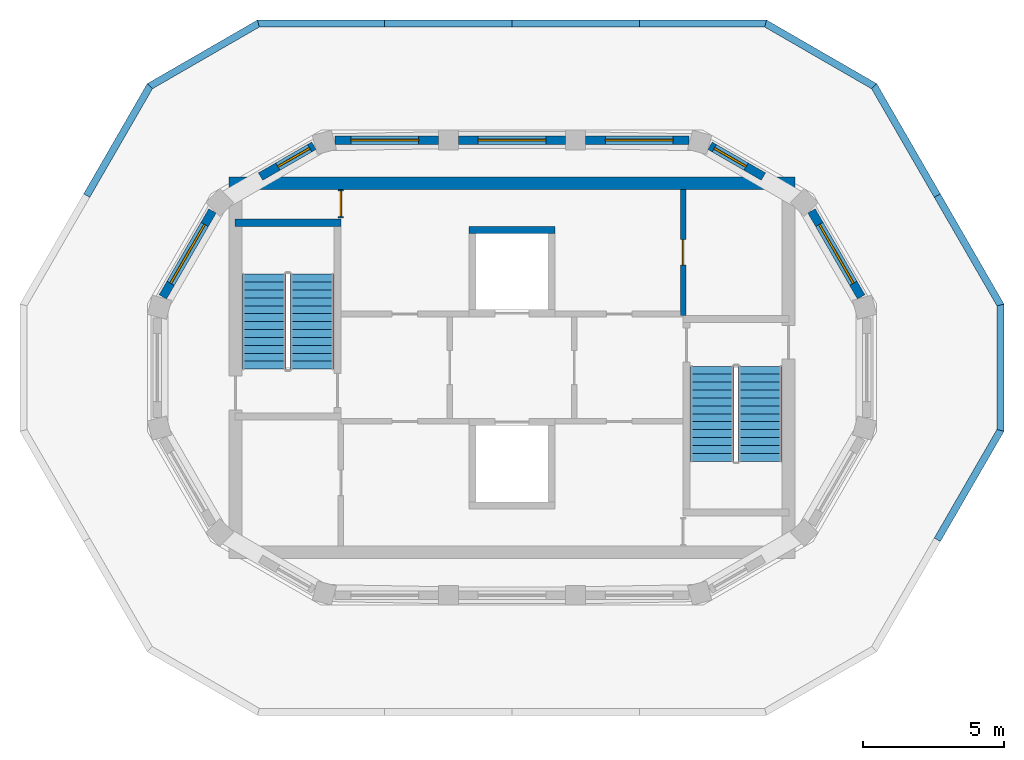
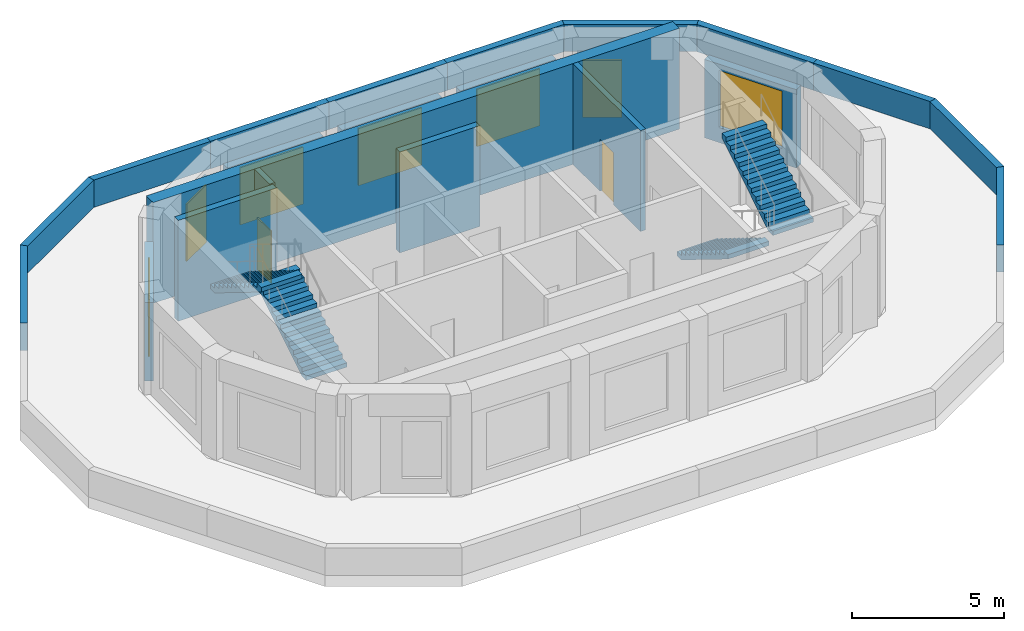
# One storey, part 3 of 4: 23 walls, 7 windows, 4 stair flights, 2 doors, 9 openings, 2 elements without a shape of their own.
"""IFC4 building model written with IfcOpenShell, lengths in metres."""

from ifc_helpers import new_model, si_unit, direction, frame, frame_2d, origin, place, context, subcontext, project, spatial, polyline, rectangle, outline, extrude, material, layer, layer_set, type_object, element, fill, aggregate, save


model = new_model("IFC4")

# Units and contexts
model_context = context("Model", 3, precision=1e-05, world=origin(), true_north=direction((0.0, 1.0)))
body_context = subcontext(model_context, "Body", "Model", "MODEL_VIEW")
ifc_project = project(units=[si_unit("LENGTHUNIT", "METRE"), si_unit("AREAUNIT", "SQUARE_METRE"), si_unit("VOLUMEUNIT", "CUBIC_METRE"), si_unit("PLANEANGLEUNIT", "RADIAN"), si_unit("MASSUNIT", "GRAM", prefix="KILO")], contexts=[model_context])

# Site, building, storey
site_placement = place(None, origin())
site = spatial("IfcSite", under=ifc_project, at=site_placement, CompositionType="ELEMENT")
building_placement = place(site_placement, origin())
building = spatial("IfcBuilding", under=site, at=building_placement, Name="Dhurran Vertical Campus", CompositionType="ELEMENT")
storey_placement = place(building_placement, frame((0.0, 0.0, 332.39990234375)))
storey = spatial("IfcBuildingStorey", under=building, at=storey_placement, Name="L81 Plant", CompositionType="ELEMENT", Elevation=332.39990234375)

# Wall, opening, window
ifc_material_1 = material(Name="Precast concrete C50/60", Category="concrete")
ifc_layer_1 = layer(ifc_material_1, 0.300048828125)
ifc_layer_set_1 = layer_set([ifc_layer_1], Name="Precast concrete C50/60")
wall_type_1 = type_object("IfcWallType", Name="Precast louvre-bay wall 300", PredefinedType="SOLIDWALL", material=ifc_layer_set_1)
wall_1_placement = place(storey_placement, frame((12.345703125, 2.5048828125, 0.0), z_axis=(0.0, 0.0, 1.0), x_axis=(-0.499987607361, 0.86603255856, 0.0)))
wall_1 = element("IfcWall", 1, at=wall_1_placement, inside=storey, type_object=wall_type_1, Name="EW3 L81.06", PredefinedType="SOLIDWALL", context=body_context, shape_type="SweptSolid", body=[
    extrude(rectangle(XDim=3.5068359375, YDim=0.300048828125, at=frame_2d((1.75341796875, 0.0))), origin(), (0.0, 0.0, 1.0), 3.150146484375),
])
opening_1_placement = place(wall_1_placement, frame((0.553466796875, 0.0, 0.60009765625)))
opening_1 = element("IfcOpeningElement", 2, at=opening_1_placement, cuts=wall_1, Name="Opening WT4", PredefinedType="OPENING", context=body_context, shape_type="SweptSolid", body=[
    extrude(rectangle(XDim=2.39990234375, YDim=2.300048828125, at=frame_2d((1.199951171875, 1.14990234375))), frame((0.0, 0.159912109375, 0.0), z_axis=(0.0, -1.0, 0.0), x_axis=(1.0, 0.0, 0.0)), (0.0, 0.0, 1.0), 0.320068359375),
])
ifc_material_2 = material(Name="Aluminium louvre", Category="aluminium")
window_type_1 = type_object("IfcWindowType", Name="Louvred plant vent 2400 x 2300", PartitioningType="SINGLE_PANEL", PredefinedType="WINDOW", material=ifc_material_2)
window_1_placement = place(opening_1_placement, origin())
window_1 = element("IfcWindow", 3, at=window_1_placement, inside=storey, type_object=window_type_1, Name="WT4 L81.06", OverallHeight=2.300048828125, OverallWidth=2.39990234375, PartitioningType="SINGLE_PANEL", PredefinedType="WINDOW", context=body_context, shape_type="SweptSolid", body=[
    extrude(rectangle(XDim=2.39990234375, YDim=2.300048828125, at=frame_2d((1.199951171875, 1.14990234375))), frame((0.0, 0.030029296875, 0.0), z_axis=(0.0, -1.0, 0.0), x_axis=(1.0, 0.0, 0.0)), (0.0, 0.0, 1.0), 0.06005859375),
])
fill(opening_1, window_1)

wall_2_placement = place(storey_placement, frame((8.889892578125, 6.757568359375, 0.0), z_axis=(0.0, 0.0, 1.0), x_axis=(-0.866060442015, 0.499939307093, 0.0)))
wall_2 = element("IfcWall", 4, at=wall_2_placement, inside=storey, type_object=wall_type_1, Name="EW3 L81.07", PredefinedType="SOLIDWALL", context=body_context, shape_type="SweptSolid", body=[
    extrude(rectangle(XDim=2.176513671875, YDim=0.300048828125, at=frame_2d((1.08837890625, 0.0))), origin(), (0.0, 0.0, 1.0), 3.150146484375),
])
opening_2_placement = place(wall_2_placement, frame((0.7041015625, 0.0, 0.60009765625)))
opening_2 = element("IfcOpeningElement", 5, at=opening_2_placement, cuts=wall_2, Name="Opening WT4", PredefinedType="OPENING", context=body_context, shape_type="SweptSolid", body=[
    extrude(rectangle(XDim=1.300048828125, YDim=2.300048828125, at=frame_2d((0.64990234375, 1.14990234375))), frame((0.0, 0.159912109375, 0.0), z_axis=(0.0, -1.0, 0.0), x_axis=(1.0, 0.0, 0.0)), (0.0, 0.0, 1.0), 0.320068359375),
])
ifc_material_3 = material(Name="Aluminium louvre", Category="aluminium")
window_type_2 = type_object("IfcWindowType", Name="Louvred plant vent 1300 x 2300", PartitioningType="SINGLE_PANEL", PredefinedType="WINDOW", material=ifc_material_3)
window_2_placement = place(opening_2_placement, origin())
window_2 = element("IfcWindow", 6, at=window_2_placement, inside=storey, type_object=window_type_2, Name="WT4 L81.07", OverallHeight=2.300048828125, OverallWidth=1.300048828125, PartitioningType="SINGLE_PANEL", PredefinedType="WINDOW", context=body_context, shape_type="SweptSolid", body=[
    extrude(rectangle(XDim=1.300048828125, YDim=2.300048828125, at=frame_2d((0.64990234375, 1.14990234375))), frame((0.0, 0.030029296875, 0.0), z_axis=(0.0, -1.0, 0.0), x_axis=(1.0, 0.0, 0.0)), (0.0, 0.0, 1.0), 0.06005859375),
])
fill(opening_2, window_2)

wall_3_placement = place(storey_placement, frame((6.25341796875, 8.047119140625, 0.0), z_axis=(0.0, 0.0, 1.0), x_axis=(-1.0, 0.0, 0.0)))
wall_3 = element("IfcWall", 7, at=wall_3_placement, inside=storey, type_object=wall_type_1, Name="EW3 L81.08", PredefinedType="SOLIDWALL", context=body_context, shape_type="SweptSolid", body=[
    extrude(rectangle(XDim=3.65283203125, YDim=0.300048828125, at=frame_2d((1.826416015625, 0.0))), origin(), (0.0, 0.0, 1.0), 3.150146484375),
])
opening_3_placement = place(wall_3_placement, frame((0.553466796875, 0.0, 0.60009765625)))
opening_3 = element("IfcOpeningElement", 8, at=opening_3_placement, cuts=wall_3, Name="Opening WT4", PredefinedType="OPENING", context=body_context, shape_type="SweptSolid", body=[
    extrude(rectangle(XDim=2.39990234375, YDim=2.300048828125, at=frame_2d((1.199951171875, 1.14990234375))), frame((0.0, 0.159912109375, 0.0), z_axis=(0.0, -1.0, 0.0), x_axis=(1.0, 0.0, 0.0)), (0.0, 0.0, 1.0), 0.320068359375),
])
window_3_placement = place(opening_3_placement, origin())
window_3 = element("IfcWindow", 9, at=window_3_placement, inside=storey, type_object=window_type_1, Name="WT4 L81.08", OverallHeight=2.300048828125, OverallWidth=2.39990234375, PartitioningType="SINGLE_PANEL", PredefinedType="WINDOW", context=body_context, shape_type="SweptSolid", body=[
    extrude(rectangle(XDim=2.39990234375, YDim=2.300048828125, at=frame_2d((1.199951171875, 1.14990234375))), frame((0.0, 0.030029296875, 0.0), z_axis=(0.0, -1.0, 0.0), x_axis=(1.0, 0.0, 0.0)), (0.0, 0.0, 1.0), 0.06005859375),
])
fill(opening_3, window_3)

wall_4_placement = place(storey_placement, frame((1.8994140625, 8.047119140625, 0.0), z_axis=(0.0, 0.0, 1.0), x_axis=(-1.0, 0.0, 0.0)))
wall_4 = element("IfcWall", 10, at=wall_4_placement, inside=storey, type_object=wall_type_1, Name="EW3 L81.09", PredefinedType="SOLIDWALL", context=body_context, shape_type="SweptSolid", body=[
    extrude(rectangle(XDim=3.798828125, YDim=0.300048828125, at=frame_2d((1.8994140625, 0.0))), origin(), (0.0, 0.0, 1.0), 3.150146484375),
])
opening_4_placement = place(wall_4_placement, frame((0.699462890625, 0.0, 0.60009765625)))
opening_4 = element("IfcOpeningElement", 11, at=opening_4_placement, cuts=wall_4, Name="Opening WT4", PredefinedType="OPENING", context=body_context, shape_type="SweptSolid", body=[
    extrude(rectangle(XDim=2.39990234375, YDim=2.300048828125, at=frame_2d((1.199951171875, 1.14990234375))), frame((0.0, 0.159912109375, 0.0), z_axis=(0.0, -1.0, 0.0), x_axis=(1.0, 0.0, 0.0)), (0.0, 0.0, 1.0), 0.320068359375),
])
window_4_placement = place(opening_4_placement, origin())
window_4 = element("IfcWindow", 12, at=window_4_placement, inside=storey, type_object=window_type_1, Name="WT4 L81.09", OverallHeight=2.300048828125, OverallWidth=2.39990234375, PartitioningType="SINGLE_PANEL", PredefinedType="WINDOW", context=body_context, shape_type="SweptSolid", body=[
    extrude(rectangle(XDim=2.39990234375, YDim=2.300048828125, at=frame_2d((1.199951171875, 1.14990234375))), frame((0.0, 0.030029296875, 0.0), z_axis=(0.0, -1.0, 0.0), x_axis=(1.0, 0.0, 0.0)), (0.0, 0.0, 1.0), 0.06005859375),
])
fill(opening_4, window_4)

wall_5_placement = place(storey_placement, frame((-2.6005859375, 8.047119140625, 0.0), z_axis=(0.0, 0.0, 1.0), x_axis=(-1.0, 0.0, 0.0)))
wall_5 = element("IfcWall", 13, at=wall_5_placement, inside=storey, type_object=wall_type_1, Name="EW3 L81.10", PredefinedType="SOLIDWALL", context=body_context, shape_type="SweptSolid", body=[
    extrude(rectangle(XDim=3.65283203125, YDim=0.300048828125, at=frame_2d((1.826416015625, 0.0))), origin(), (0.0, 0.0, 1.0), 3.150146484375),
])
opening_5_placement = place(wall_5_placement, frame((0.699462890625, 0.0, 0.60009765625)))
opening_5 = element("IfcOpeningElement", 14, at=opening_5_placement, cuts=wall_5, Name="Opening WT4", PredefinedType="OPENING", context=body_context, shape_type="SweptSolid", body=[
    extrude(rectangle(XDim=2.39990234375, YDim=2.300048828125, at=frame_2d((1.199951171875, 1.14990234375))), frame((0.0, 0.159912109375, 0.0), z_axis=(0.0, -1.0, 0.0), x_axis=(1.0, 0.0, 0.0)), (0.0, 0.0, 1.0), 0.320068359375),
])
window_5_placement = place(opening_5_placement, origin())
window_5 = element("IfcWindow", 15, at=window_5_placement, inside=storey, type_object=window_type_1, Name="WT4 L81.10", OverallHeight=2.300048828125, OverallWidth=2.39990234375, PartitioningType="SINGLE_PANEL", PredefinedType="WINDOW", context=body_context, shape_type="SweptSolid", body=[
    extrude(rectangle(XDim=2.39990234375, YDim=2.300048828125, at=frame_2d((1.199951171875, 1.14990234375))), frame((0.0, 0.030029296875, 0.0), z_axis=(0.0, -1.0, 0.0), x_axis=(1.0, 0.0, 0.0)), (0.0, 0.0, 1.0), 0.06005859375),
])
fill(opening_5, window_5)

wall_6_placement = place(storey_placement, frame((-7.0048828125, 7.845703125, 0.0), z_axis=(0.0, 0.0, 1.0), x_axis=(-0.866060442015, -0.499939307093, 0.0)))
wall_6 = element("IfcWall", 16, at=wall_6_placement, inside=storey, type_object=wall_type_1, Name="EW3 L81.11", PredefinedType="SOLIDWALL", context=body_context, shape_type="SweptSolid", body=[
    extrude(rectangle(XDim=2.176513671875, YDim=0.300048828125, at=frame_2d((1.08837890625, 0.0))), origin(), (0.0, 0.0, 1.0), 3.150146484375),
])
opening_6_placement = place(wall_6_placement, frame((0.172607421875, 0.0, 0.60009765625)))
opening_6 = element("IfcOpeningElement", 17, at=opening_6_placement, cuts=wall_6, Name="Opening WT4", PredefinedType="OPENING", context=body_context, shape_type="SweptSolid", body=[
    extrude(rectangle(XDim=1.300048828125, YDim=2.300048828125, at=frame_2d((0.64990234375, 1.14990234375))), frame((0.0, 0.159912109375, 0.0), z_axis=(0.0, -1.0, 0.0), x_axis=(1.0, 0.0, 0.0)), (0.0, 0.0, 1.0), 0.320068359375),
])
window_6_placement = place(opening_6_placement, origin())
window_6 = element("IfcWindow", 18, at=window_6_placement, inside=storey, type_object=window_type_2, Name="WT4 L81.11", OverallHeight=2.300048828125, OverallWidth=1.300048828125, PartitioningType="SINGLE_PANEL", PredefinedType="WINDOW", context=body_context, shape_type="SweptSolid", body=[
    extrude(rectangle(XDim=1.300048828125, YDim=2.300048828125, at=frame_2d((0.64990234375, 1.14990234375))), frame((0.0, 0.030029296875, 0.0), z_axis=(0.0, -1.0, 0.0), x_axis=(1.0, 0.0, 0.0)), (0.0, 0.0, 1.0), 0.06005859375),
])
fill(opening_6, window_6)

wall_7_placement = place(storey_placement, frame((-10.59228515625, 5.5419921875, 0.0), z_axis=(0.0, 0.0, 1.0), x_axis=(-0.499987607361, -0.86603255856, 0.0)))
wall_7 = element("IfcWall", 19, at=wall_7_placement, inside=storey, type_object=wall_type_1, Name="EW3 L81.12", PredefinedType="SOLIDWALL", context=body_context, shape_type="SweptSolid", body=[
    extrude(rectangle(XDim=3.5068359375, YDim=0.300048828125, at=frame_2d((1.75341796875, 0.0))), origin(), (0.0, 0.0, 1.0), 3.150146484375),
])
opening_7_placement = place(wall_7_placement, frame((0.553466796875, 0.0, 0.60009765625)))
opening_7 = element("IfcOpeningElement", 20, at=opening_7_placement, cuts=wall_7, Name="Opening WT4", PredefinedType="OPENING", context=body_context, shape_type="SweptSolid", body=[
    extrude(rectangle(XDim=2.39990234375, YDim=2.300048828125, at=frame_2d((1.199951171875, 1.14990234375))), frame((0.0, 0.159912109375, 0.0), z_axis=(0.0, -1.0, 0.0), x_axis=(1.0, 0.0, 0.0)), (0.0, 0.0, 1.0), 0.320068359375),
])
window_7_placement = place(opening_7_placement, origin())
window_7 = element("IfcWindow", 21, at=window_7_placement, inside=storey, type_object=window_type_1, Name="WT4 L81.12", OverallHeight=2.300048828125, OverallWidth=2.39990234375, PartitioningType="SINGLE_PANEL", PredefinedType="WINDOW", context=body_context, shape_type="SweptSolid", body=[
    extrude(rectangle(XDim=2.39990234375, YDim=2.300048828125, at=frame_2d((1.199951171875, 1.14990234375))), frame((0.0, 0.030029296875, 0.0), z_axis=(0.0, -1.0, 0.0), x_axis=(1.0, 0.0, 0.0)), (0.0, 0.0, 1.0), 0.06005859375),
])
fill(opening_7, window_7)

# Walls
ifc_material_4 = material(Name="Precast concrete C50/60", Category="concrete")
ifc_layer_2 = layer(ifc_material_4, 0.25)
ifc_layer_set_2 = layer_set([ifc_layer_2], Name="Precast concrete C50/60")
wall_type_2 = type_object("IfcWallType", Name="Precast parapet 250", PredefinedType="PARAPET", material=ifc_layer_set_2)
wall_8_placement = place(storey_placement, origin())
element("IfcWall", 22, at=wall_8_placement, inside=storey, type_object=wall_type_2, Name="PW1 L81.06", PredefinedType="PARAPET", context=body_context, shape_type="SweptSolid", body=[
    extrude(outline(polyline([(15.147216796875, -6.147216796875), (17.397216796875, -2.25), (17.147216796875, -2.18310546875), (14.9306640625, -6.022216796875), (15.147216796875, -6.147216796875)])), origin(), (0.0, 0.0, 1.0), 1.10009765625),
])
wall_9_placement = place(storey_placement, origin())
element("IfcWall", 23, at=wall_9_placement, inside=storey, type_object=wall_type_2, Name="PW1 L81.07", PredefinedType="PARAPET", context=body_context, shape_type="SweptSolid", body=[
    extrude(outline(polyline([(17.397216796875, -2.25), (17.397216796875, 2.25), (17.147216796875, 2.18310546875), (17.147216796875, -2.18310546875), (17.397216796875, -2.25)])), origin(), (0.0, 0.0, 1.0), 1.10009765625),
])
wall_10_placement = place(storey_placement, origin())
element("IfcWall", 24, at=wall_10_placement, inside=storey, type_object=wall_type_2, Name="PW1 L81.08", PredefinedType="PARAPET", context=body_context, shape_type="SweptSolid", body=[
    extrude(outline(polyline([(17.397216796875, 2.25), (15.147216796875, 6.147216796875), (14.9306640625, 6.022216796875), (17.147216796875, 2.18310546875), (17.397216796875, 2.25)])), origin(), (0.0, 0.0, 1.0), 1.10009765625),
])
wall_11_placement = place(storey_placement, origin())
element("IfcWall", 25, at=wall_11_placement, inside=storey, type_object=wall_type_2, Name="PW1 L81.09", PredefinedType="PARAPET", context=body_context, shape_type="SweptSolid", body=[
    extrude(outline(polyline([(15.147216796875, 6.147216796875), (12.897216796875, 10.044189453125), (12.714111328125, 9.861083984375), (14.9306640625, 6.022216796875), (15.147216796875, 6.147216796875)])), origin(), (0.0, 0.0, 1.0), 1.10009765625),
])
wall_12_placement = place(storey_placement, origin())
element("IfcWall", 26, at=wall_12_placement, inside=storey, type_object=wall_type_2, Name="PW1 L81.10", PredefinedType="PARAPET", context=body_context, shape_type="SweptSolid", body=[
    extrude(outline(polyline([(12.897216796875, 10.044189453125), (9.0, 12.294189453125), (8.93310546875, 12.044189453125), (12.714111328125, 9.861083984375), (12.897216796875, 10.044189453125)])), origin(), (0.0, 0.0, 1.0), 1.10009765625),
])
wall_13_placement = place(storey_placement, origin())
element("IfcWall", 27, at=wall_13_placement, inside=storey, type_object=wall_type_2, Name="PW1 L81.11", PredefinedType="PARAPET", context=body_context, shape_type="SweptSolid", body=[
    extrude(outline(polyline([(9.0, 12.294189453125), (4.5, 12.294189453125), (4.5, 12.044189453125), (8.93310546875, 12.044189453125), (9.0, 12.294189453125)])), origin(), (0.0, 0.0, 1.0), 1.10009765625),
])
wall_14_placement = place(storey_placement, origin())
element("IfcWall", 28, at=wall_14_placement, inside=storey, type_object=wall_type_2, Name="PW1 L81.12", PredefinedType="PARAPET", context=body_context, shape_type="SweptSolid", body=[
    extrude(outline(polyline([(4.5, 12.294189453125), (0.0, 12.294189453125), (0.0, 12.044189453125), (4.5, 12.044189453125), (4.5, 12.294189453125)])), origin(), (0.0, 0.0, 1.0), 1.10009765625),
])
wall_15_placement = place(storey_placement, origin())
element("IfcWall", 29, at=wall_15_placement, inside=storey, type_object=wall_type_2, Name="PW1 L81.13", PredefinedType="PARAPET", context=body_context, shape_type="SweptSolid", body=[
    extrude(outline(polyline([(0.0, 12.294189453125), (-4.5, 12.294189453125), (-4.5, 12.044189453125), (0.0, 12.044189453125), (0.0, 12.294189453125)])), origin(), (0.0, 0.0, 1.0), 1.10009765625),
])
wall_16_placement = place(storey_placement, origin())
element("IfcWall", 30, at=wall_16_placement, inside=storey, type_object=wall_type_2, Name="PW1 L81.14", PredefinedType="PARAPET", context=body_context, shape_type="SweptSolid", body=[
    extrude(outline(polyline([(-4.5, 12.294189453125), (-9.0, 12.294189453125), (-8.93310546875, 12.044189453125), (-4.5, 12.044189453125), (-4.5, 12.294189453125)])), origin(), (0.0, 0.0, 1.0), 1.10009765625),
])
wall_17_placement = place(storey_placement, origin())
element("IfcWall", 31, at=wall_17_placement, inside=storey, type_object=wall_type_2, Name="PW1 L81.15", PredefinedType="PARAPET", context=body_context, shape_type="SweptSolid", body=[
    extrude(outline(polyline([(-9.0, 12.294189453125), (-12.897216796875, 10.044189453125), (-12.714111328125, 9.861083984375), (-8.93310546875, 12.044189453125), (-9.0, 12.294189453125)])), origin(), (0.0, 0.0, 1.0), 1.10009765625),
])
wall_18_placement = place(storey_placement, origin())
element("IfcWall", 32, at=wall_18_placement, inside=storey, type_object=wall_type_2, Name="PW1 L81.16", PredefinedType="PARAPET", context=body_context, shape_type="SweptSolid", body=[
    extrude(outline(polyline([(-12.897216796875, 10.044189453125), (-15.147216796875, 6.147216796875), (-14.9306640625, 6.022216796875), (-12.714111328125, 9.861083984375), (-12.897216796875, 10.044189453125)])), origin(), (0.0, 0.0, 1.0), 1.10009765625),
])
ifc_material_5 = material(Name="Concrete C50/60", Category="concrete")
ifc_layer_3 = layer(ifc_material_5, 0.449951171875)
ifc_layer_set_3 = layer_set([ifc_layer_3], Name="Concrete C50/60")
wall_type_3 = type_object("IfcWallType", Name="co-CORE-WALL-C4-450", PredefinedType="SHEAR", material=ifc_layer_set_3)
wall_19_placement = place(storey_placement, frame((-10.0, 6.52490234375, 0.0), z_axis=(0.0, 0.0, 1.0), x_axis=(1.0, 0.0, 0.0)))
element("IfcWall", 33, at=wall_19_placement, inside=storey, type_object=wall_type_3, Name="Core wall N L81", PredefinedType="SHEAR", context=body_context, shape_type="SweptSolid", body=[
    extrude(rectangle(XDim=20.0, YDim=0.449951171875, at=frame_2d((10.0, 0.0))), origin(), (0.0, 0.0, 1.0), 4.050048828125),
])

# Wall, opening, door
ifc_material_6 = material(Name="Fire-rated masonry blockwork", Category="masonry")
ifc_layer_4 = layer(ifc_material_6, 0.199951171875)
ifc_layer_set_4 = layer_set([ifc_layer_4], Name="Fire-rated masonry blockwork")
wall_type_4 = type_object("IfcWallType", Name="co-FIRE-PARTITION-200", PredefinedType="PARTITIONING", material=ifc_layer_set_4)
wall_20_placement = place(storey_placement, frame((-6.050048828125, 5.300048828125, 0.0), z_axis=(0.0, 0.0, 1.0), x_axis=(0.0, 1.0, 0.0)))
wall_20 = element("IfcWall", 34, at=wall_20_placement, inside=storey, type_object=wall_type_4, Name="Core partition bwn-d L81", PredefinedType="PARTITIONING", context=body_context, shape_type="SweptSolid", body=[
    extrude(rectangle(XDim=1.0, YDim=0.199951171875, at=frame_2d((0.5, 0.0))), origin(), (0.0, 0.0, 1.0), 4.050048828125),
])
opening_8_placement = place(wall_20_placement, frame((0.050048828125, 0.0, 0.0)))
opening_8 = element("IfcOpeningElement", 35, at=opening_8_placement, cuts=wall_20, Name="Opening CR81-C5", PredefinedType="OPENING", context=body_context, shape_type="SweptSolid", body=[
    extrude(rectangle(XDim=0.89990234375, YDim=2.10009765625, at=frame_2d((0.449951171875, 1.050048828125))), frame((0.0, 0.10986328125, 0.0), z_axis=(0.0, -1.0, 0.0), x_axis=(1.0, 0.0, 0.0)), (0.0, 0.0, 1.0), 0.219970703125),
])
ifc_material_7 = material(Name="Fire-rated timber door set", Category="wood")
door_type = type_object("IfcDoorType", Name="co-D-ROOM 900x2100", OperationType="SINGLE_SWING_LEFT", PredefinedType="DOOR", material=ifc_material_7)
door_1_placement = place(opening_8_placement, origin())
door_1 = element("IfcDoor", 36, at=door_1_placement, inside=storey, type_object=door_type, Name="Plant room door L81", OperationType="SINGLE_SWING_LEFT", OverallHeight=2.10009765625, OverallWidth=0.89990234375, PredefinedType="DOOR", context=body_context, shape_type="SweptSolid", body=[
    extrude(rectangle(XDim=0.89990234375, YDim=2.10009765625, at=frame_2d((0.449951171875, 1.050048828125))), frame((0.0, 0.02490234375, 0.0), z_axis=(0.0, -1.0, 0.0), x_axis=(1.0, 0.0, 0.0)), (0.0, 0.0, 1.0), 0.050048828125),
])
fill(opening_8, door_1)

wall_21_placement = place(storey_placement, frame((6.050048828125, 1.85009765625, 0.0), z_axis=(0.0, 0.0, 1.0), x_axis=(0.0, 1.0, 0.0)))
wall_21 = element("IfcWall", 37, at=wall_21_placement, inside=storey, type_object=wall_type_4, Name="Core partition ben-d L81", PredefinedType="PARTITIONING", context=body_context, shape_type="SweptSolid", body=[
    extrude(rectangle(XDim=4.449951171875, YDim=0.199951171875, at=frame_2d((2.22509765625, 0.0))), origin(), (0.0, 0.0, 1.0), 4.050048828125),
])
opening_9_placement = place(wall_21_placement, frame((1.77490234375, 0.0, 0.0)))
opening_9 = element("IfcOpeningElement", 38, at=opening_9_placement, cuts=wall_21, Name="Opening CR81-C7", PredefinedType="OPENING", context=body_context, shape_type="SweptSolid", body=[
    extrude(rectangle(XDim=0.89990234375, YDim=2.10009765625, at=frame_2d((0.449951171875, 1.050048828125))), frame((0.0, 0.10986328125, 0.0), z_axis=(0.0, -1.0, 0.0), x_axis=(1.0, 0.0, 0.0)), (0.0, 0.0, 1.0), 0.219970703125),
])
door_2_placement = place(opening_9_placement, origin())
door_2 = element("IfcDoor", 39, at=door_2_placement, inside=storey, type_object=door_type, Name="Plant room door L81", OperationType="SINGLE_SWING_LEFT", OverallHeight=2.10009765625, OverallWidth=0.89990234375, PredefinedType="DOOR", context=body_context, shape_type="SweptSolid", body=[
    extrude(rectangle(XDim=0.89990234375, YDim=2.10009765625, at=frame_2d((0.449951171875, 1.050048828125))), frame((0.0, 0.02490234375, 0.0), z_axis=(0.0, -1.0, 0.0), x_axis=(1.0, 0.0, 0.0)), (0.0, 0.0, 1.0), 0.050048828125),
])
fill(opening_9, door_2)

# Walls
ifc_material_8 = material(Name="Concrete C50/60", Category="concrete")
ifc_layer_5 = layer(ifc_material_8, 0.25)
ifc_layer_set_5 = layer_set([ifc_layer_5], Name="Concrete C50/60")
wall_type_5 = type_object("IfcWallType", Name="co-SHAFT-MASS-250", PredefinedType="SHEAR", material=ifc_layer_set_5)
wall_22_placement = place(storey_placement, origin())
element("IfcWall", 40, at=wall_22_placement, inside=storey, type_object=wall_type_5, Name="Lift shaft wall N L81 1", PredefinedType="SHEAR", context=body_context, shape_type="SweptSolid", body=[
    extrude(outline(polyline([(-1.52490234375, 4.75), (1.52490234375, 4.75), (1.52490234375, 5.0), (-1.52490234375, 5.0), (-1.52490234375, 4.75)])), origin(), (0.0, 0.0, 1.0), 4.050048828125),
])
ifc_material_9 = material(Name="Concrete C40/50", Category="concrete")
ifc_layer_6 = layer(ifc_material_9, 0.25)
ifc_layer_set_6 = layer_set([ifc_layer_6], Name="Concrete C40/50")
wall_type_6 = type_object("IfcWallType", Name="co-STAIR-WALL-250", PredefinedType="SHEAR", material=ifc_layer_set_6)
wall_23_placement = place(storey_placement, frame((-9.800048828125, 5.125, 0.0), z_axis=(0.0, 0.0, 1.0), x_axis=(1.0, 0.0, 0.0)))
element("IfcWall", 41, at=wall_23_placement, inside=storey, type_object=wall_type_6, Name="Stair ST5 enclosure wall L81", PredefinedType="SHEAR", context=body_context, shape_type="SweptSolid", body=[
    extrude(rectangle(XDim=3.75, YDim=0.25, at=frame_2d((1.875, 0.0))), origin(), (0.0, 0.0, 1.0), 4.050048828125),
])

# Stair, stair flights
ifc_material_10 = material(Name="Concrete C40/50", Category="concrete")
stair_type = type_object("IfcStairType", Name="co-ST-CORE", PredefinedType="HALF_TURN_STAIR", material=ifc_material_10)
stair_1_placement = place(storey_placement, origin())
stair_1 = element("IfcStair", 42, at=stair_1_placement, inside=storey, type_object=stair_type, Name="L81 Plant Protected exit stair ST5", PredefinedType="HALF_TURN_STAIR")
ifc_material_11 = material(Name="Concrete C40/50", Category="concrete")
stair_flight_type = type_object("IfcStairFlightType", Name="co-SFL-RC", PredefinedType="STRAIGHT", material=ifc_material_11)
stair_flight_1_placement = place(storey_placement, frame((-7.074951171875, -0.050048828125, 0.0), z_axis=(0.0, 0.0, 1.0), x_axis=(0.0, 1.0, 0.0)))
stair_flight_1 = element("IfcStairFlight", 43, at=stair_flight_1_placement, type_object=stair_flight_type, Name="ST5 flight 1", NumberOfRisers=13, NumberOfTreads=12, PredefinedType="STRAIGHT", RiserHeight=0.173076923, TreadLength=0.28, context=body_context, shape_type="SweptSolid", body=[
    extrude(outline(polyline([(0.0, 0.0), (0.0, 0.173095703125), (0.280029296875, 0.173095703125), (0.280029296875, 0.34619140625), (0.56005859375, 0.34619140625), (0.56005859375, 0.519287109375), (0.840087890625, 0.519287109375), (0.840087890625, 0.6923828125), (1.1201171875, 0.6923828125), (1.1201171875, 0.865478515625), (1.39990234375, 0.865478515625), (1.39990234375, 1.03857421875), (1.679931640625, 1.03857421875), (1.679931640625, 1.21142578125), (1.9599609375, 1.21142578125), (1.9599609375, 1.384521484375), (2.239990234375, 1.384521484375), (2.239990234375, 1.5576171875), (2.52001953125, 1.5576171875), (2.52001953125, 1.730712890625), (2.800048828125, 1.730712890625), (2.800048828125, 1.90380859375), (3.080078125, 1.90380859375), (3.080078125, 2.076904296875), (3.360107421875, 2.076904296875), (3.360107421875, 2.25), (3.360107421875, 1.900634765625), (0.28515625, 0.0), (0.0, 0.0)])), frame((0.0, 0.77490234375, 0.0), z_axis=(0.0, -1.0, 0.0), x_axis=(1.0, 0.0, 0.0)), (0.0, 0.0, 1.0), 1.550048828125),
])
stair_flight_2_placement = place(storey_placement, frame((-8.77490234375, 3.31005859375, 2.25), z_axis=(0.0, 0.0, 1.0), x_axis=(0.0, -1.0, 0.0)))
stair_flight_2 = element("IfcStairFlight", 44, at=stair_flight_2_placement, type_object=stair_flight_type, Name="ST5 flight 2", NumberOfRisers=13, NumberOfTreads=12, PredefinedType="STRAIGHT", RiserHeight=0.173076923, TreadLength=0.28, context=body_context, shape_type="SweptSolid", body=[
    extrude(outline(polyline([(0.0, 0.0), (0.0, 0.173095703125), (0.280029296875, 0.173095703125), (0.280029296875, 0.34619140625), (0.56005859375, 0.34619140625), (0.56005859375, 0.519287109375), (0.840087890625, 0.519287109375), (0.840087890625, 0.6923828125), (1.1201171875, 0.6923828125), (1.1201171875, 0.865478515625), (1.39990234375, 0.865478515625), (1.39990234375, 1.03857421875), (1.679931640625, 1.03857421875), (1.679931640625, 1.21142578125), (1.9599609375, 1.21142578125), (1.9599609375, 1.384521484375), (2.239990234375, 1.384521484375), (2.239990234375, 1.5576171875), (2.52001953125, 1.5576171875), (2.52001953125, 1.730712890625), (2.800048828125, 1.730712890625), (2.800048828125, 1.90380859375), (3.080078125, 1.90380859375), (3.080078125, 2.076904296875), (3.360107421875, 2.076904296875), (3.360107421875, 2.25), (3.360107421875, 1.900634765625), (0.28515625, 0.0), (0.0, 0.0)])), frame((0.0, 0.77490234375, 0.0), z_axis=(0.0, -1.0, 0.0), x_axis=(1.0, 0.0, 0.0)), (0.0, 0.0, 1.0), 1.550048828125),
])
aggregate(stair_1, [stair_flight_1, stair_flight_2])

stair_2_placement = place(storey_placement, origin())
stair_2 = element("IfcStair", 45, at=stair_2_placement, inside=storey, type_object=stair_type, Name="L81 Plant Protected exit stair ST6", PredefinedType="HALF_TURN_STAIR")
stair_flight_3_placement = place(storey_placement, frame((7.074951171875, 0.050048828125, 0.0), z_axis=(0.0, 0.0, 1.0), x_axis=(0.0, -1.0, 0.0)))
stair_flight_3 = element("IfcStairFlight", 46, at=stair_flight_3_placement, type_object=stair_flight_type, Name="ST6 flight 1", NumberOfRisers=13, NumberOfTreads=12, PredefinedType="STRAIGHT", RiserHeight=0.173076923, TreadLength=0.28, context=body_context, shape_type="SweptSolid", body=[
    extrude(outline(polyline([(0.0, 0.0), (0.0, 0.173095703125), (0.280029296875, 0.173095703125), (0.280029296875, 0.34619140625), (0.56005859375, 0.34619140625), (0.56005859375, 0.519287109375), (0.840087890625, 0.519287109375), (0.840087890625, 0.6923828125), (1.1201171875, 0.6923828125), (1.1201171875, 0.865478515625), (1.39990234375, 0.865478515625), (1.39990234375, 1.03857421875), (1.679931640625, 1.03857421875), (1.679931640625, 1.21142578125), (1.9599609375, 1.21142578125), (1.9599609375, 1.384521484375), (2.239990234375, 1.384521484375), (2.239990234375, 1.5576171875), (2.52001953125, 1.5576171875), (2.52001953125, 1.730712890625), (2.800048828125, 1.730712890625), (2.800048828125, 1.90380859375), (3.080078125, 1.90380859375), (3.080078125, 2.076904296875), (3.360107421875, 2.076904296875), (3.360107421875, 2.25), (3.360107421875, 1.900634765625), (0.28515625, 0.0), (0.0, 0.0)])), frame((0.0, 0.77490234375, 0.0), z_axis=(0.0, -1.0, 0.0), x_axis=(1.0, 0.0, 0.0)), (0.0, 0.0, 1.0), 1.550048828125),
])
stair_flight_4_placement = place(storey_placement, frame((8.77490234375, -3.31005859375, 2.25), z_axis=(0.0, 0.0, 1.0), x_axis=(0.0, 1.0, 0.0)))
stair_flight_4 = element("IfcStairFlight", 47, at=stair_flight_4_placement, type_object=stair_flight_type, Name="ST6 flight 2", NumberOfRisers=13, NumberOfTreads=12, PredefinedType="STRAIGHT", RiserHeight=0.173076923, TreadLength=0.28, context=body_context, shape_type="SweptSolid", body=[
    extrude(outline(polyline([(0.0, 0.0), (0.0, 0.173095703125), (0.280029296875, 0.173095703125), (0.280029296875, 0.34619140625), (0.56005859375, 0.34619140625), (0.56005859375, 0.519287109375), (0.840087890625, 0.519287109375), (0.840087890625, 0.6923828125), (1.1201171875, 0.6923828125), (1.1201171875, 0.865478515625), (1.39990234375, 0.865478515625), (1.39990234375, 1.03857421875), (1.679931640625, 1.03857421875), (1.679931640625, 1.21142578125), (1.9599609375, 1.21142578125), (1.9599609375, 1.384521484375), (2.239990234375, 1.384521484375), (2.239990234375, 1.5576171875), (2.52001953125, 1.5576171875), (2.52001953125, 1.730712890625), (2.800048828125, 1.730712890625), (2.800048828125, 1.90380859375), (3.080078125, 1.90380859375), (3.080078125, 2.076904296875), (3.360107421875, 2.076904296875), (3.360107421875, 2.25), (3.360107421875, 1.900634765625), (0.28515625, 0.0), (0.0, 0.0)])), frame((0.0, 0.77490234375, 0.0), z_axis=(0.0, -1.0, 0.0), x_axis=(1.0, 0.0, 0.0)), (0.0, 0.0, 1.0), 1.550048828125),
])
aggregate(stair_2, [stair_flight_3, stair_flight_4])

save(model, "model.ifc")
